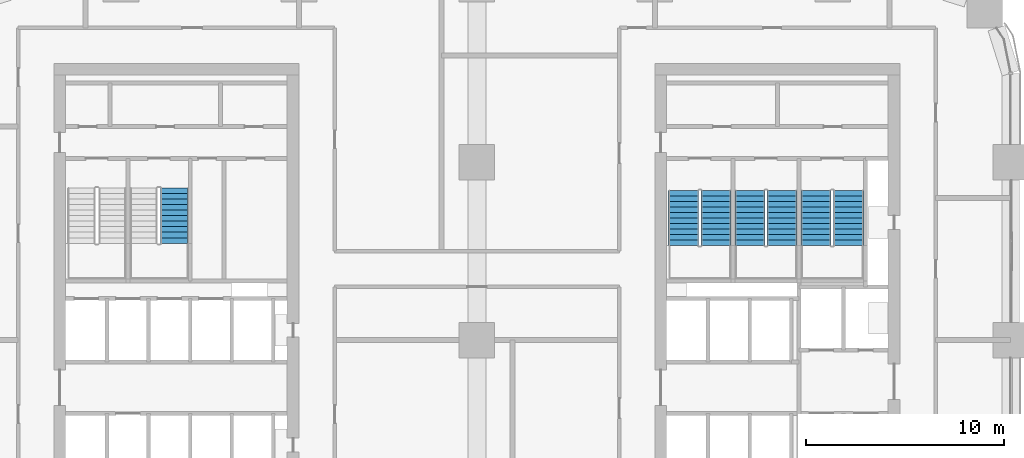
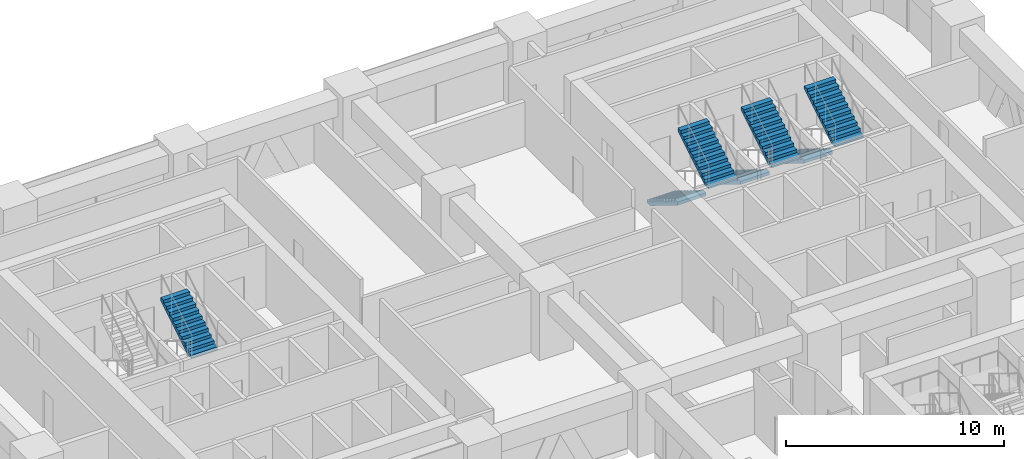
# One storey, part 18 of 24: 7 stair flights, 4 elements without a shape of their own.
"""IFC4 building model written with IfcOpenShell, lengths in metres."""

from ifc_helpers import new_model, si_unit, direction, frame, origin, place, context, subcontext, project, spatial, polyline, outline, extrude, material, type_object, element, aggregate, save


model = new_model("IFC4")

# Units and contexts
model_context = context("Model", 3, precision=1e-05, world=origin(), true_north=direction((0.0, 1.0)))
body_context = subcontext(model_context, "Body", "Model", "MODEL_VIEW")
ifc_project = project(units=[si_unit("LENGTHUNIT", "METRE"), si_unit("AREAUNIT", "SQUARE_METRE"), si_unit("VOLUMEUNIT", "CUBIC_METRE"), si_unit("PLANEANGLEUNIT", "RADIAN"), si_unit("MASSUNIT", "GRAM", prefix="KILO")], contexts=[model_context])

# Site, building, storey
site_placement = place(None, origin())
site = spatial("IfcSite", under=ifc_project, at=site_placement, CompositionType="ELEMENT")
building_placement = place(site_placement, origin())
building = spatial("IfcBuilding", under=site, at=building_placement, Name="Tessera Arch", CompositionType="ELEMENT")
storey_placement = place(building_placement, frame((0.0, 0.0, 112.0)))
storey = spatial("IfcBuildingStorey", under=building, at=storey_placement, Name="L26", CompositionType="ELEMENT", Elevation=112.0)

# Stair, stair flight
ifc_material_1 = material(Name="Concrete C40/50", Category="concrete")
stair_type_1 = type_object("IfcStairType", Name="Dogleg stair 1400", PredefinedType="HALF_TURN_STAIR", material=ifc_material_1)
stair_1_placement = place(storey_placement, origin())
stair_1 = element("IfcStair", 1, at=stair_1_placement, inside=storey, type_object=stair_type_1, Name="L26 S2b", PredefinedType="HALF_TURN_STAIR")
ifc_material_2 = material(Name="Concrete C40/50", Category="concrete")
stair_flight_type_1 = type_object("IfcStairFlightType", Name="Stair flight 1400", PredefinedType="STRAIGHT", material=ifc_material_2)
stair_flight_1_placement = place(storey_placement, frame((11.699951171875, 40.89990234375, 1.89990234375), z_axis=(0.0, 0.0, 1.0), x_axis=(0.0, 1.0, 0.0)))
stair_flight_1 = element("IfcStairFlight", 2, at=stair_flight_1_placement, type_object=stair_flight_type_1, Name="S2b flight 2", NumberOfRisers=11, NumberOfTreads=10, PredefinedType="STRAIGHT", RiserHeight=0.172727273, TreadLength=0.28, context=body_context, shape_type="SweptSolid", body=[
    extrude(outline(polyline([(0.0, 0.0), (0.0, 0.172607421875), (0.280029296875, 0.172607421875), (0.280029296875, 0.345458984375), (0.56005859375, 0.345458984375), (0.56005859375, 0.51806640625), (0.840087890625, 0.51806640625), (0.840087890625, 0.69091796875), (1.1201171875, 0.69091796875), (1.1201171875, 0.863525390625), (1.39990234375, 0.863525390625), (1.39990234375, 1.036376953125), (1.679931640625, 1.036376953125), (1.679931640625, 1.208984375), (1.9599609375, 1.208984375), (1.9599609375, 1.3818359375), (2.239990234375, 1.3818359375), (2.239990234375, 1.554443359375), (2.52001953125, 1.554443359375), (2.52001953125, 1.727294921875), (2.800048828125, 1.727294921875), (2.800048828125, 1.89990234375), (2.800048828125, 1.551025390625), (0.285400390625, 0.0), (0.0, 0.0)])), frame((0.0, 0.699951171875, 0.0), z_axis=(0.0, -1.0, 0.0), x_axis=(1.0, 0.0, 0.0)), (0.0, 0.0, 1.0), 1.39990234375),
])
aggregate(stair_1, [stair_flight_1])

# Stair, stair flights
ifc_material_3 = material(Name="Concrete C40/50", Category="concrete")
stair_type_2 = type_object("IfcStairType", Name="Dogleg stair 1520", PredefinedType="HALF_TURN_STAIR", material=ifc_material_3)
stair_2_placement = place(storey_placement, origin())
stair_2 = element("IfcStair", 3, at=stair_2_placement, inside=storey, type_object=stair_type_2, Name="L26 S1a", PredefinedType="HALF_TURN_STAIR")
ifc_material_4 = material(Name="Concrete C40/50", Category="concrete")
stair_flight_type_2 = type_object("IfcStairFlightType", Name="Stair flight 1520", PredefinedType="STRAIGHT", material=ifc_material_4)
stair_flight_2_placement = place(storey_placement, frame((37.4599609375, 43.580078125, 0.0), z_axis=(0.0, 0.0, 1.0), x_axis=(0.0, -1.0, 0.0)))
stair_flight_2 = element("IfcStairFlight", 4, at=stair_flight_2_placement, type_object=stair_flight_type_2, Name="S1a flight 1", NumberOfRisers=11, NumberOfTreads=10, PredefinedType="STRAIGHT", RiserHeight=0.172727273, TreadLength=0.28, context=body_context, shape_type="SweptSolid", body=[
    extrude(outline(polyline([(0.0, 0.0), (0.0, 0.172607421875), (0.280029296875, 0.172607421875), (0.280029296875, 0.345458984375), (0.56005859375, 0.345458984375), (0.56005859375, 0.51806640625), (0.840087890625, 0.51806640625), (0.840087890625, 0.69091796875), (1.1201171875, 0.69091796875), (1.1201171875, 0.863525390625), (1.39990234375, 0.863525390625), (1.39990234375, 1.036376953125), (1.679931640625, 1.036376953125), (1.679931640625, 1.208984375), (1.9599609375, 1.208984375), (1.9599609375, 1.3818359375), (2.239990234375, 1.3818359375), (2.239990234375, 1.554443359375), (2.52001953125, 1.554443359375), (2.52001953125, 1.727294921875), (2.800048828125, 1.727294921875), (2.800048828125, 1.89990234375), (2.800048828125, 1.551025390625), (0.285400390625, 0.0), (0.0, 0.0)])), frame((0.0, 0.760009765625, 0.0), z_axis=(0.0, -1.0, 0.0), x_axis=(1.0, 0.0, 0.0)), (0.0, 0.0, 1.0), 1.52001953125),
])
stair_flight_3_placement = place(storey_placement, frame((39.090087890625, 40.780029296875, 1.89990234375), z_axis=(0.0, 0.0, 1.0), x_axis=(0.0, 1.0, 0.0)))
stair_flight_3 = element("IfcStairFlight", 5, at=stair_flight_3_placement, type_object=stair_flight_type_2, Name="S1a flight 2", NumberOfRisers=11, NumberOfTreads=10, PredefinedType="STRAIGHT", RiserHeight=0.172727273, TreadLength=0.28, context=body_context, shape_type="SweptSolid", body=[
    extrude(outline(polyline([(0.0, 0.0), (0.0, 0.172607421875), (0.280029296875, 0.172607421875), (0.280029296875, 0.345458984375), (0.56005859375, 0.345458984375), (0.56005859375, 0.51806640625), (0.840087890625, 0.51806640625), (0.840087890625, 0.69091796875), (1.1201171875, 0.69091796875), (1.1201171875, 0.863525390625), (1.39990234375, 0.863525390625), (1.39990234375, 1.036376953125), (1.679931640625, 1.036376953125), (1.679931640625, 1.208984375), (1.9599609375, 1.208984375), (1.9599609375, 1.3818359375), (2.239990234375, 1.3818359375), (2.239990234375, 1.554443359375), (2.52001953125, 1.554443359375), (2.52001953125, 1.727294921875), (2.800048828125, 1.727294921875), (2.800048828125, 1.89990234375), (2.800048828125, 1.551025390625), (0.285400390625, 0.0), (0.0, 0.0)])), frame((0.0, 0.760009765625, 0.0), z_axis=(0.0, -1.0, 0.0), x_axis=(1.0, 0.0, 0.0)), (0.0, 0.0, 1.0), 1.52001953125),
])
aggregate(stair_2, [stair_flight_2, stair_flight_3])

stair_3_placement = place(storey_placement, origin())
stair_3 = element("IfcStair", 6, at=stair_3_placement, inside=storey, type_object=stair_type_2, Name="L26 S1b", PredefinedType="HALF_TURN_STAIR")
stair_flight_4_placement = place(storey_placement, frame((40.81005859375, 43.580078125, 0.0), z_axis=(0.0, 0.0, 1.0), x_axis=(0.0, -1.0, 0.0)))
stair_flight_4 = element("IfcStairFlight", 7, at=stair_flight_4_placement, type_object=stair_flight_type_2, Name="S1b flight 1", NumberOfRisers=11, NumberOfTreads=10, PredefinedType="STRAIGHT", RiserHeight=0.172727273, TreadLength=0.28, context=body_context, shape_type="SweptSolid", body=[
    extrude(outline(polyline([(0.0, 0.0), (0.0, 0.172607421875), (0.280029296875, 0.172607421875), (0.280029296875, 0.345458984375), (0.56005859375, 0.345458984375), (0.56005859375, 0.51806640625), (0.840087890625, 0.51806640625), (0.840087890625, 0.69091796875), (1.1201171875, 0.69091796875), (1.1201171875, 0.863525390625), (1.39990234375, 0.863525390625), (1.39990234375, 1.036376953125), (1.679931640625, 1.036376953125), (1.679931640625, 1.208984375), (1.9599609375, 1.208984375), (1.9599609375, 1.3818359375), (2.239990234375, 1.3818359375), (2.239990234375, 1.554443359375), (2.52001953125, 1.554443359375), (2.52001953125, 1.727294921875), (2.800048828125, 1.727294921875), (2.800048828125, 1.89990234375), (2.800048828125, 1.551025390625), (0.285400390625, 0.0), (0.0, 0.0)])), frame((0.0, 0.760009765625, 0.0), z_axis=(0.0, -1.0, 0.0), x_axis=(1.0, 0.0, 0.0)), (0.0, 0.0, 1.0), 1.52001953125),
])
stair_flight_5_placement = place(storey_placement, frame((42.43994140625, 40.780029296875, 1.89990234375), z_axis=(0.0, 0.0, 1.0), x_axis=(0.0, 1.0, 0.0)))
stair_flight_5 = element("IfcStairFlight", 8, at=stair_flight_5_placement, type_object=stair_flight_type_2, Name="S1b flight 2", NumberOfRisers=11, NumberOfTreads=10, PredefinedType="STRAIGHT", RiserHeight=0.172727273, TreadLength=0.28, context=body_context, shape_type="SweptSolid", body=[
    extrude(outline(polyline([(0.0, 0.0), (0.0, 0.172607421875), (0.280029296875, 0.172607421875), (0.280029296875, 0.345458984375), (0.56005859375, 0.345458984375), (0.56005859375, 0.51806640625), (0.840087890625, 0.51806640625), (0.840087890625, 0.69091796875), (1.1201171875, 0.69091796875), (1.1201171875, 0.863525390625), (1.39990234375, 0.863525390625), (1.39990234375, 1.036376953125), (1.679931640625, 1.036376953125), (1.679931640625, 1.208984375), (1.9599609375, 1.208984375), (1.9599609375, 1.3818359375), (2.239990234375, 1.3818359375), (2.239990234375, 1.554443359375), (2.52001953125, 1.554443359375), (2.52001953125, 1.727294921875), (2.800048828125, 1.727294921875), (2.800048828125, 1.89990234375), (2.800048828125, 1.551025390625), (0.285400390625, 0.0), (0.0, 0.0)])), frame((0.0, 0.760009765625, 0.0), z_axis=(0.0, -1.0, 0.0), x_axis=(1.0, 0.0, 0.0)), (0.0, 0.0, 1.0), 1.52001953125),
])
aggregate(stair_3, [stair_flight_4, stair_flight_5])

stair_4_placement = place(storey_placement, origin())
stair_4 = element("IfcStair", 9, at=stair_4_placement, inside=storey, type_object=stair_type_2, Name="L26 S1c", PredefinedType="HALF_TURN_STAIR")
stair_flight_6_placement = place(storey_placement, frame((44.159912109375, 43.580078125, 0.0), z_axis=(0.0, 0.0, 1.0), x_axis=(0.0, -1.0, 0.0)))
stair_flight_6 = element("IfcStairFlight", 10, at=stair_flight_6_placement, type_object=stair_flight_type_2, Name="S1c flight 1", NumberOfRisers=11, NumberOfTreads=10, PredefinedType="STRAIGHT", RiserHeight=0.172727273, TreadLength=0.28, context=body_context, shape_type="SweptSolid", body=[
    extrude(outline(polyline([(0.0, 0.0), (0.0, 0.172607421875), (0.280029296875, 0.172607421875), (0.280029296875, 0.345458984375), (0.56005859375, 0.345458984375), (0.56005859375, 0.51806640625), (0.840087890625, 0.51806640625), (0.840087890625, 0.69091796875), (1.1201171875, 0.69091796875), (1.1201171875, 0.863525390625), (1.39990234375, 0.863525390625), (1.39990234375, 1.036376953125), (1.679931640625, 1.036376953125), (1.679931640625, 1.208984375), (1.9599609375, 1.208984375), (1.9599609375, 1.3818359375), (2.239990234375, 1.3818359375), (2.239990234375, 1.554443359375), (2.52001953125, 1.554443359375), (2.52001953125, 1.727294921875), (2.800048828125, 1.727294921875), (2.800048828125, 1.89990234375), (2.800048828125, 1.551025390625), (0.285400390625, 0.0), (0.0, 0.0)])), frame((0.0, 0.760009765625, 0.0), z_axis=(0.0, -1.0, 0.0), x_axis=(1.0, 0.0, 0.0)), (0.0, 0.0, 1.0), 1.52001953125),
])
stair_flight_7_placement = place(storey_placement, frame((45.7900390625, 40.780029296875, 1.89990234375), z_axis=(0.0, 0.0, 1.0), x_axis=(0.0, 1.0, 0.0)))
stair_flight_7 = element("IfcStairFlight", 11, at=stair_flight_7_placement, type_object=stair_flight_type_2, Name="S1c flight 2", NumberOfRisers=11, NumberOfTreads=10, PredefinedType="STRAIGHT", RiserHeight=0.172727273, TreadLength=0.28, context=body_context, shape_type="SweptSolid", body=[
    extrude(outline(polyline([(0.0, 0.0), (0.0, 0.172607421875), (0.280029296875, 0.172607421875), (0.280029296875, 0.345458984375), (0.56005859375, 0.345458984375), (0.56005859375, 0.51806640625), (0.840087890625, 0.51806640625), (0.840087890625, 0.69091796875), (1.1201171875, 0.69091796875), (1.1201171875, 0.863525390625), (1.39990234375, 0.863525390625), (1.39990234375, 1.036376953125), (1.679931640625, 1.036376953125), (1.679931640625, 1.208984375), (1.9599609375, 1.208984375), (1.9599609375, 1.3818359375), (2.239990234375, 1.3818359375), (2.239990234375, 1.554443359375), (2.52001953125, 1.554443359375), (2.52001953125, 1.727294921875), (2.800048828125, 1.727294921875), (2.800048828125, 1.89990234375), (2.800048828125, 1.551025390625), (0.285400390625, 0.0), (0.0, 0.0)])), frame((0.0, 0.760009765625, 0.0), z_axis=(0.0, -1.0, 0.0), x_axis=(1.0, 0.0, 0.0)), (0.0, 0.0, 1.0), 1.52001953125),
])
aggregate(stair_4, [stair_flight_6, stair_flight_7])

save(model, "model.ifc")
